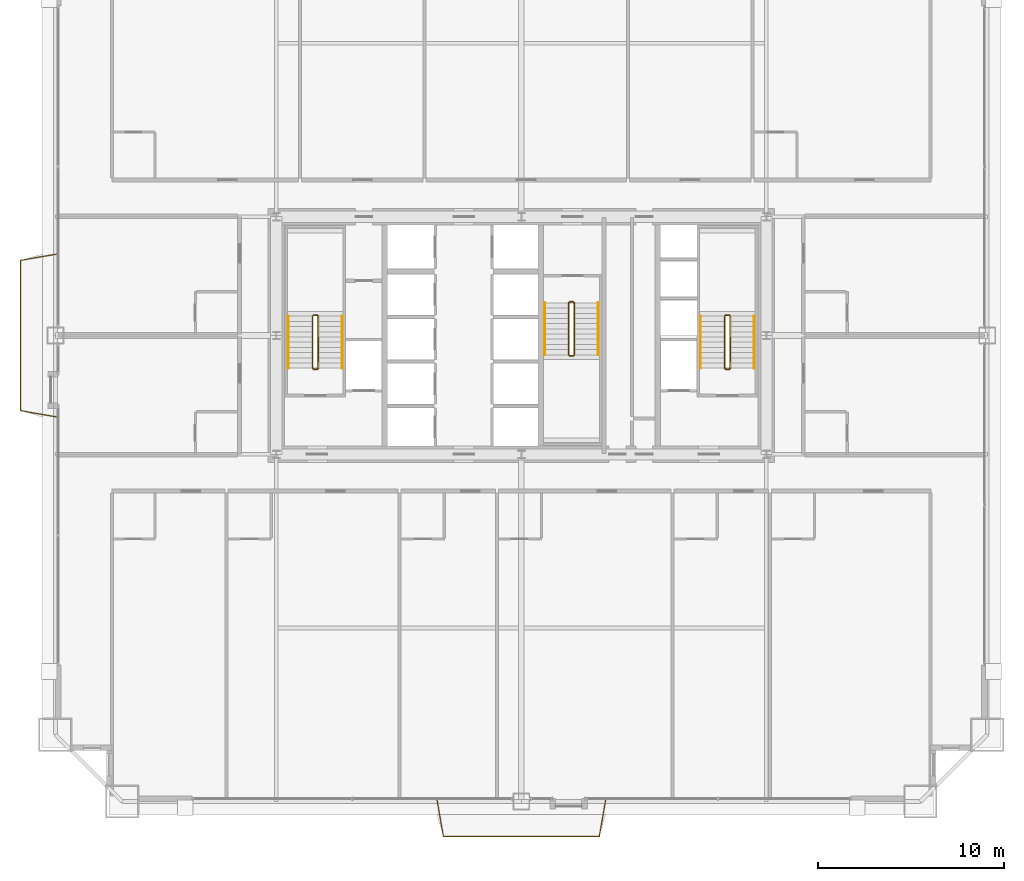
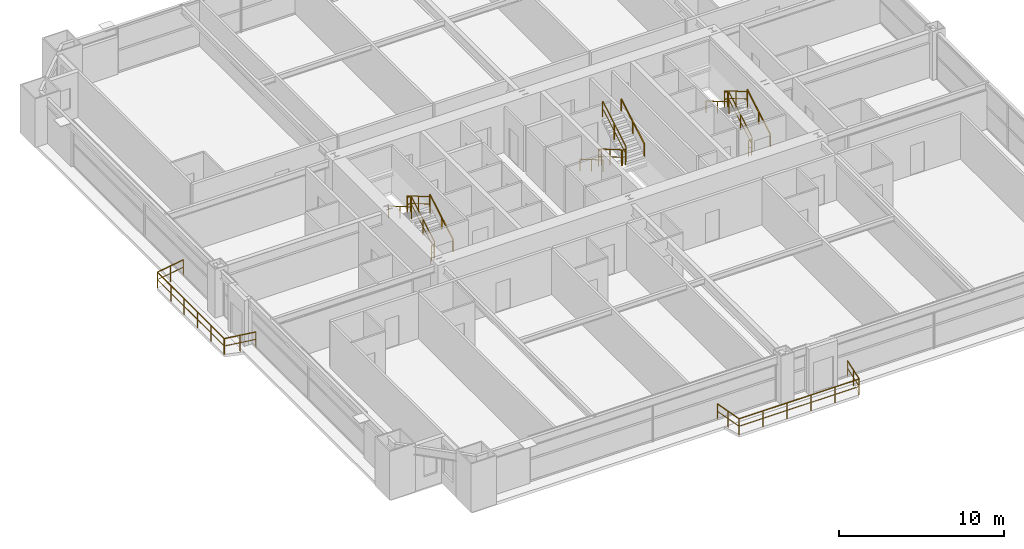
# One storey, part 46 of 46: 20 railings.
"""IFC4 building model written with IfcOpenShell, lengths in metres."""

from ifc_helpers import new_model, si_unit, direction, frame, origin, origin_2d, place, context, subcontext, project, spatial, rectangle, extrude, source, transform, mapped, material, layer, layer_set, type_object, element, save


model = new_model("IFC4")

# Units and contexts
model_context = context("Model", 3, precision=1e-05, world=origin(), true_north=direction((0.0, 1.0)))
body_context = subcontext(model_context, "Body", "Model", "MODEL_VIEW")
ifc_project = project(units=[si_unit("LENGTHUNIT", "METRE"), si_unit("AREAUNIT", "SQUARE_METRE"), si_unit("VOLUMEUNIT", "CUBIC_METRE"), si_unit("PLANEANGLEUNIT", "RADIAN"), si_unit("MASSUNIT", "GRAM", prefix="KILO"), si_unit("THERMODYNAMICTEMPERATUREUNIT", "KELVIN"), si_unit("POWERUNIT", "WATT")], contexts=[model_context])

# Site, building, storey
site_placement = place(None, origin())
site = spatial("IfcSite", under=ifc_project, at=site_placement, CompositionType="ELEMENT")
building_placement = place(site_placement, origin())
building = spatial("IfcBuilding", under=site, at=building_placement, Name="Yuzanri Waterfront Tower", CompositionType="ELEMENT")
storey_placement = place(building_placement, frame((0.0, 0.0, 56.800048828125)))
storey = spatial("IfcBuildingStorey", under=building, at=storey_placement, Name="L14", CompositionType="ELEMENT", Elevation=56.800048828125)

# Railings
ifc_material_1 = material(Name="Anodized Architectural Bronze", Category="metal")
ifc_layer_1 = layer(ifc_material_1, 0.080078125)
ifc_layer_set_1 = layer_set([ifc_layer_1], Name="Anodized Architectural Bronze")
railing_type_1 = type_object("IfcRailingType", Name="Laminated Glass and Bronze Balcony Guardrail 1200", PredefinedType="BALUSTRADE", material=ifc_layer_set_1)
shared_shape_1 = source(origin(), body_context, "Body", "SweptSolid", [
    extrude(rectangle(XDim=0.050048828125, YDim=0.050048828125, at=origin_2d()), frame((0.0, 0.0, 1.1748046875), z_axis=(0.169791929079, -0.985479934255, 0.0), x_axis=(0.985479934255, 0.169791929079, 0.0)), (0.0, 0.0, 1.0), 2.06201171875),
    extrude(rectangle(XDim=0.035888671875, YDim=0.030029296875, at=origin_2d()), frame((0.0, 0.0, 0.6240234375), z_axis=(0.169791929079, -0.985479934255, 0.0), x_axis=(0.985479934255, 0.169791929079, 0.0)), (0.0, 0.0, 1.0), 2.06201171875),
    extrude(rectangle(XDim=0.050048828125, YDim=0.050048828125, at=origin_2d()), frame((0.35009765625, -2.031982421875, 1.1748046875), z_axis=(1.0, 0.0, 0.0), x_axis=(0.0, 1.0, 0.0)), (0.0, 0.0, 1.0), 8.40380859375),
    extrude(rectangle(XDim=0.035888671875, YDim=0.030029296875, at=origin_2d()), frame((0.35009765625, -2.031982421875, 0.6240234375), z_axis=(1.0, 0.0, 0.0), x_axis=(0.0, 1.0, 0.0)), (0.0, 0.0, 1.0), 8.40380859375),
    extrude(rectangle(XDim=0.050048828125, YDim=0.050048828125, at=origin_2d()), frame((8.75390625, -2.031982421875, 1.1748046875), z_axis=(0.169791929079, 0.985479934255, 0.0), x_axis=(-0.985479934255, 0.169791929079, 0.0)), (0.0, 0.0, 1.0), 2.06201171875),
    extrude(rectangle(XDim=0.035888671875, YDim=0.030029296875, at=origin_2d()), frame((8.75390625, -2.031982421875, 0.6240234375), z_axis=(0.169791929079, 0.985479934255, 0.0), x_axis=(-0.985479934255, 0.169791929079, 0.0)), (0.0, 0.0, 1.0), 2.06201171875),
    extrude(rectangle(XDim=0.0458984375, YDim=0.0458984375, at=origin_2d()), origin(), (0.0, 0.0, 1.0), 1.14990234375),
    extrude(rectangle(XDim=0.0458984375, YDim=0.0458984375, at=origin_2d()), frame((0.175048828125, -1.01611328125, 0.0)), (0.0, 0.0, 1.0), 1.14990234375),
    extrude(rectangle(XDim=0.0458984375, YDim=0.0458984375, at=origin_2d()), frame((0.35009765625, -2.031982421875, 0.0)), (0.0, 0.0, 1.0), 1.14990234375),
    extrude(rectangle(XDim=0.0458984375, YDim=0.0458984375, at=origin_2d()), frame((2.03076171875, -2.031982421875, 0.0)), (0.0, 0.0, 1.0), 1.14990234375),
    extrude(rectangle(XDim=0.0458984375, YDim=0.0458984375, at=origin_2d()), frame((3.711669921875, -2.031982421875, 0.0)), (0.0, 0.0, 1.0), 1.14990234375),
    extrude(rectangle(XDim=0.0458984375, YDim=0.0458984375, at=origin_2d()), frame((5.392333984375, -2.031982421875, 0.0)), (0.0, 0.0, 1.0), 1.14990234375),
    extrude(rectangle(XDim=0.0458984375, YDim=0.0458984375, at=origin_2d()), frame((7.0732421875, -2.031982421875, 0.0)), (0.0, 0.0, 1.0), 1.14990234375),
    extrude(rectangle(XDim=0.0458984375, YDim=0.0458984375, at=origin_2d()), frame((8.75390625, -2.031982421875, 0.0)), (0.0, 0.0, 1.0), 1.14990234375),
    extrude(rectangle(XDim=0.0458984375, YDim=0.0458984375, at=origin_2d()), frame((8.928955078125, -1.01611328125, 0.0)), (0.0, 0.0, 1.0), 1.14990234375),
    extrude(rectangle(XDim=0.0458984375, YDim=0.0458984375, at=origin_2d()), frame((9.10400390625, 0.0, 0.0)), (0.0, 0.0, 1.0), 1.14990234375),
])
railing_1_placement = place(storey_placement, frame((32.447998046875, 0.85009765625, 0.0)))
element("IfcRailing", 1, at=railing_1_placement, inside=storey, type_object=railing_type_1, Name="L14 S Engawa Terrace Guardrail", PredefinedType="BALUSTRADE", context=body_context, shape_type="MappedRepresentation", body=[
    mapped(shared_shape_1, transform((0.0, 0.0, 0.0), scale=1.0)),
])
shared_shape_2 = source(origin(), body_context, "Body", "SweptSolid", [
    extrude(rectangle(XDim=0.050048828125, YDim=0.050048828125, at=origin_2d()), frame((0.0, 0.0, 1.1748046875), z_axis=(-0.985479934255, 0.169791929079, 0.0), x_axis=(-0.169791929079, -0.985479934255, 0.0)), (0.0, 0.0, 1.0), 2.06201171875),
    extrude(rectangle(XDim=0.035888671875, YDim=0.030029296875, at=origin_2d()), frame((0.0, 0.0, 0.6240234375), z_axis=(-0.985479934255, 0.169791929079, 0.0), x_axis=(-0.169791929079, -0.985479934255, 0.0)), (0.0, 0.0, 1.0), 2.06201171875),
    extrude(rectangle(XDim=0.050048828125, YDim=0.050048828125, at=origin_2d()), frame((-2.031982421875, 0.35009765625, 1.1748046875), z_axis=(0.0, 1.0, 0.0), x_axis=(-1.0, 0.0, 0.0)), (0.0, 0.0, 1.0), 8.10009765625),
    extrude(rectangle(XDim=0.035888671875, YDim=0.030029296875, at=origin_2d()), frame((-2.031982421875, 0.35009765625, 0.6240234375), z_axis=(0.0, 1.0, 0.0), x_axis=(-1.0, 0.0, 0.0)), (0.0, 0.0, 1.0), 8.10009765625),
    extrude(rectangle(XDim=0.050048828125, YDim=0.050048828125, at=origin_2d()), frame((-2.031982421875, 8.4501953125, 1.1748046875), z_axis=(0.985499740145, 0.169676934714, 0.0), x_axis=(-0.169676934714, 0.985499740145, 0.0)), (0.0, 0.0, 1.0), 2.061767578125),
    extrude(rectangle(XDim=0.035888671875, YDim=0.030029296875, at=origin_2d()), frame((-2.031982421875, 8.4501953125, 0.6240234375), z_axis=(0.985499740145, 0.169676934714, 0.0), x_axis=(-0.169676934714, 0.985499740145, 0.0)), (0.0, 0.0, 1.0), 2.061767578125),
    extrude(rectangle(XDim=0.0458984375, YDim=0.0458984375, at=origin_2d()), origin(), (0.0, 0.0, 1.0), 1.14990234375),
    extrude(rectangle(XDim=0.0458984375, YDim=0.0458984375, at=origin_2d()), frame((-1.01611328125, 0.175048828125, 0.0)), (0.0, 0.0, 1.0), 1.14990234375),
    extrude(rectangle(XDim=0.0458984375, YDim=0.0458984375, at=origin_2d()), frame((-2.031982421875, 0.35009765625, 0.0)), (0.0, 0.0, 1.0), 1.14990234375),
    extrude(rectangle(XDim=0.0458984375, YDim=0.0458984375, at=origin_2d()), frame((-2.031982421875, 1.97021484375, 0.0)), (0.0, 0.0, 1.0), 1.14990234375),
    extrude(rectangle(XDim=0.0458984375, YDim=0.0458984375, at=origin_2d()), frame((-2.031982421875, 3.590087890625, 0.0)), (0.0, 0.0, 1.0), 1.14990234375),
    extrude(rectangle(XDim=0.0458984375, YDim=0.0458984375, at=origin_2d()), frame((-2.031982421875, 5.210205078125, 0.0)), (0.0, 0.0, 1.0), 1.14990234375),
    extrude(rectangle(XDim=0.0458984375, YDim=0.0458984375, at=origin_2d()), frame((-2.031982421875, 6.830078125, 0.0)), (0.0, 0.0, 1.0), 1.14990234375),
    extrude(rectangle(XDim=0.0458984375, YDim=0.0458984375, at=origin_2d()), frame((-2.031982421875, 8.4501953125, 0.0)), (0.0, 0.0, 1.0), 1.14990234375),
    extrude(rectangle(XDim=0.0458984375, YDim=0.0458984375, at=origin_2d()), frame((-1.01611328125, 8.625, 0.0)), (0.0, 0.0, 1.0), 1.14990234375),
    extrude(rectangle(XDim=0.0458984375, YDim=0.0458984375, at=origin_2d()), frame((0.0, 8.800048828125, 0.0)), (0.0, 0.0, 1.0), 1.14990234375),
])
railing_2_placement = place(storey_placement, frame((12.050048828125, 21.39990234375, 0.0)))
element("IfcRailing", 2, at=railing_2_placement, inside=storey, type_object=railing_type_1, Name="L14 W Engawa Terrace Guardrail", PredefinedType="BALUSTRADE", context=body_context, shape_type="MappedRepresentation", body=[
    mapped(shared_shape_2, transform((0.0, 0.0, 0.0), scale=1.0)),
])
ifc_material_2 = material(Name="Painted Galvanized Fire Steel", Category="steel")
ifc_layer_2 = layer(ifc_material_2, 0.06005859375)
ifc_layer_set_2 = layer_set([ifc_layer_2], Name="Painted Galvanized Fire Steel")
railing_type_2 = type_object("IfcRailingType", Name="Painted Steel Stairwell Guardrail 1120", PredefinedType="GUARDRAIL", material=ifc_layer_set_2)
shared_shape_3 = source(origin(), body_context, "Body", "SweptSolid", [
    extrude(rectangle(XDim=0.050048828125, YDim=0.050048828125, at=origin_2d()), frame((0.0, 0.0, 1.1748046875), z_axis=(-1.0, 0.0, 0.0), x_axis=(0.0, -1.0, 0.0)), (0.0, 0.0, 1.0), 0.199951171875),
    extrude(rectangle(XDim=0.035888671875, YDim=0.030029296875, at=origin_2d()), frame((0.0, 0.0, 0.6240234375), z_axis=(-1.0, 0.0, 0.0), x_axis=(0.0, -1.0, 0.0)), (0.0, 0.0, 1.0), 0.199951171875),
    extrude(rectangle(XDim=0.0458984375, YDim=0.0458984375, at=origin_2d()), origin(), (0.0, 0.0, 1.0), 1.14990234375),
    extrude(rectangle(XDim=0.0458984375, YDim=0.0458984375, at=origin_2d()), frame((-0.199951171875, 0.0, 0.0)), (0.0, 0.0, 1.0), 1.14990234375),
])
for number, where, name in (
    (3, (26.0, 26.889892578125, 1.800048828125), "L14 ST-01 stair guard 2"),
    (4, (26.0, 23.989990234375, 0.0), "L14 ST-01 stair guard 4"),
    (5, (48.199951171875, 26.889892578125, 1.800048828125), "L14 ST-02 stair guard 2"),
    (6, (48.199951171875, 23.989990234375, 0.0), "L14 ST-02 stair guard 4"),
):
    element("IfcRailing", number, at=place(storey_placement, frame(where)), inside=storey, type_object=railing_type_2, Name=name, PredefinedType="GUARDRAIL", context=body_context, shape_type="MappedRepresentation", body=[
        mapped(shared_shape_3, transform((0.0, 0.0, 0.0), scale=1.0)),
    ])
shared_shape_4 = source(origin(), body_context, "Body", "SweptSolid", [
    extrude(rectangle(XDim=0.050048828125, YDim=0.050048828125, at=origin_2d()), frame((0.0, 0.0, 1.1748046875), z_axis=(0.0, 0.863393664356, 0.504530851732), x_axis=(-1.0, 0.0, 0.0)), (0.0, 0.0, 1.0), 3.2431640625),
    extrude(rectangle(XDim=0.035888671875, YDim=0.030029296875, at=origin_2d()), frame((0.0, 0.0, 0.6240234375), z_axis=(0.0, 0.863393664356, 0.504530851732), x_axis=(-1.0, 0.0, 0.0)), (0.0, 0.0, 1.0), 3.2431640625),
    extrude(rectangle(XDim=0.0458984375, YDim=0.0458984375, at=origin_2d()), origin(), (0.0, 0.0, 1.0), 1.14990234375),
    extrude(rectangle(XDim=0.0458984375, YDim=0.0458984375, at=origin_2d()), frame((0.0, 1.39990234375, 0.818115234375)), (0.0, 0.0, 1.0), 1.14990234375),
    extrude(rectangle(XDim=0.0458984375, YDim=0.0458984375, at=origin_2d()), frame((0.0, 2.800048828125, 1.63623046875)), (0.0, 0.0, 1.0), 1.14990234375),
])
railing_3_placement = place(storey_placement, frame((39.85009765625, 24.760009765625, 1.963623046875)))
element("IfcRailing", 7, at=railing_3_placement, inside=storey, type_object=railing_type_2, Name="L14 ST-03 stair guard 3", PredefinedType="GUARDRAIL", context=body_context, shape_type="MappedRepresentation", body=[
    mapped(shared_shape_4, transform((0.0, 0.0, 0.0), scale=1.0)),
])
shared_shape_5 = source(origin(), body_context, "Body", "SweptSolid", [
    extrude(rectangle(XDim=0.050048828125, YDim=0.050048828125, at=origin_2d()), frame((0.0, 0.0, 1.1748046875), z_axis=(0.0, -0.863393664356, 0.504530851732), x_axis=(1.0, 0.0, 0.0)), (0.0, 0.0, 1.0), 3.2431640625),
    extrude(rectangle(XDim=0.035888671875, YDim=0.030029296875, at=origin_2d()), frame((0.0, 0.0, 0.6240234375), z_axis=(0.0, -0.863393664356, 0.504530851732), x_axis=(1.0, 0.0, 0.0)), (0.0, 0.0, 1.0), 3.2431640625),
    extrude(rectangle(XDim=0.0458984375, YDim=0.0458984375, at=origin_2d()), origin(), (0.0, 0.0, 1.0), 1.14990234375),
    extrude(rectangle(XDim=0.0458984375, YDim=0.0458984375, at=origin_2d()), frame((0.0, -1.39990234375, 0.818115234375)), (0.0, 0.0, 1.0), 1.14990234375),
    extrude(rectangle(XDim=0.0458984375, YDim=0.0458984375, at=origin_2d()), frame((0.0, -2.800048828125, 1.63623046875)), (0.0, 0.0, 1.0), 1.14990234375),
])
for number, where, name in (
    (8, (25.75, 26.840087890625, 1.963623046875), "L14 ST-01 stair guard 3"),
    (9, (47.949951171875, 26.840087890625, 1.963623046875), "L14 ST-02 stair guard 3"),
):
    element("IfcRailing", number, at=place(storey_placement, frame(where)), inside=storey, type_object=railing_type_2, Name=name, PredefinedType="GUARDRAIL", context=body_context, shape_type="MappedRepresentation", body=[
        mapped(shared_shape_5, transform((0.0, 0.0, 0.0), scale=1.0)),
    ])
ifc_material_3 = material(Name="Anodized Architectural Bronze", Category="metal")
ifc_layer_3 = layer(ifc_material_3, 0.050048828125)
ifc_layer_set_3 = layer_set([ifc_layer_3], Name="Anodized Architectural Bronze")
railing_type_3 = type_object("IfcRailingType", Name="Brushed Bronze Stair Pitch Handrail 920", PredefinedType="HANDRAIL", material=ifc_layer_set_3)
shared_shape_6 = source(origin(), body_context, "Body", "SweptSolid", [
    extrude(rectangle(XDim=0.050048828125, YDim=0.050048828125, at=origin_2d()), frame((0.0, 0.0, 0.875), z_axis=(0.0, 0.863393664356, 0.504530851732), x_axis=(-1.0, 0.0, 0.0)), (0.0, 0.0, 1.0), 3.2431640625),
    extrude(rectangle(XDim=0.0458984375, YDim=0.0458984375, at=origin_2d()), origin(), (0.0, 0.0, 1.0), 0.849853515625),
    extrude(rectangle(XDim=0.0458984375, YDim=0.0458984375, at=origin_2d()), frame((0.0, 1.39990234375, 0.818115234375)), (0.0, 0.0, 1.0), 0.849853515625),
    extrude(rectangle(XDim=0.0458984375, YDim=0.0458984375, at=origin_2d()), frame((0.0, 2.800048828125, 1.63623046875)), (0.0, 0.0, 1.0), 0.849853515625),
])
railing_4_placement = place(storey_placement, frame((41.14990234375, 24.760009765625, 1.963623046875)))
element("IfcRailing", 10, at=railing_4_placement, inside=storey, type_object=railing_type_3, Name="L14 ST-03 stair handrail 2", PredefinedType="HANDRAIL", context=body_context, shape_type="MappedRepresentation", body=[
    mapped(shared_shape_6, transform((0.0, 0.0, 0.0), scale=1.0)),
])
shared_shape_7 = source(origin(), body_context, "Body", "SweptSolid", [
    extrude(rectangle(XDim=0.050048828125, YDim=0.050048828125, at=origin_2d()), frame((0.0, 0.0, 0.875), z_axis=(0.0, -0.863393664356, 0.504530851732), x_axis=(1.0, 0.0, 0.0)), (0.0, 0.0, 1.0), 3.2431640625),
    extrude(rectangle(XDim=0.0458984375, YDim=0.0458984375, at=origin_2d()), origin(), (0.0, 0.0, 1.0), 0.849853515625),
    extrude(rectangle(XDim=0.0458984375, YDim=0.0458984375, at=origin_2d()), frame((0.0, -1.39990234375, 0.818115234375)), (0.0, 0.0, 1.0), 0.849853515625),
    extrude(rectangle(XDim=0.0458984375, YDim=0.0458984375, at=origin_2d()), frame((0.0, -2.800048828125, 1.63623046875)), (0.0, 0.0, 1.0), 0.849853515625),
])
for number, where, name in (
    (11, (24.449951171875, 26.840087890625, 1.963623046875), "L14 ST-01 stair handrail 2"),
    (12, (46.64990234375, 26.840087890625, 1.963623046875), "L14 ST-02 stair handrail 2"),
):
    element("IfcRailing", number, at=place(storey_placement, frame(where)), inside=storey, type_object=railing_type_3, Name=name, PredefinedType="HANDRAIL", context=body_context, shape_type="MappedRepresentation", body=[
        mapped(shared_shape_7, transform((0.0, 0.0, 0.0), scale=1.0)),
    ])
shared_shape_8 = source(origin(), body_context, "Body", "SweptSolid", [
    extrude(rectangle(XDim=0.050048828125, YDim=0.050048828125, at=origin_2d()), frame((0.0, 0.0, 1.1748046875), z_axis=(0.0, 0.863360870873, 0.504586966384), x_axis=(-1.0, 0.0, 0.0)), (0.0, 0.0, 1.0), 3.2431640625),
    extrude(rectangle(XDim=0.035888671875, YDim=0.030029296875, at=origin_2d()), frame((0.0, 0.0, 0.6240234375), z_axis=(0.0, 0.863360870873, 0.504586966384), x_axis=(-1.0, 0.0, 0.0)), (0.0, 0.0, 1.0), 3.2431640625),
    extrude(rectangle(XDim=0.0458984375, YDim=0.0458984375, at=origin_2d()), origin(), (0.0, 0.0, 1.0), 1.14990234375),
    extrude(rectangle(XDim=0.0458984375, YDim=0.0458984375, at=origin_2d()), frame((0.0, 1.39990234375, 0.818359375)), (0.0, 0.0, 1.0), 1.14990234375),
    extrude(rectangle(XDim=0.0458984375, YDim=0.0458984375, at=origin_2d()), frame((0.0, 2.800048828125, 1.636474609375)), (0.0, 0.0, 1.0), 1.14990234375),
])
for number, where, name in (
    (13, (26.050048828125, 24.0400390625, 0.16357421875), "L14 ST-01 stair guard 1"),
    (14, (48.25, 24.0400390625, 0.16357421875), "L14 ST-02 stair guard 1"),
):
    element("IfcRailing", number, at=place(storey_placement, frame(where)), inside=storey, type_object=railing_type_2, Name=name, PredefinedType="GUARDRAIL", context=body_context, shape_type="MappedRepresentation", body=[
        mapped(shared_shape_8, transform((0.0, 0.0, 0.0), scale=1.0)),
    ])
shared_shape_9 = source(origin(), body_context, "Body", "SweptSolid", [
    extrude(rectangle(XDim=0.050048828125, YDim=0.050048828125, at=origin_2d()), frame((0.0, 0.0, 1.1748046875), z_axis=(0.0, -0.863360870873, 0.504586966384), x_axis=(1.0, 0.0, 0.0)), (0.0, 0.0, 1.0), 3.2431640625),
    extrude(rectangle(XDim=0.035888671875, YDim=0.030029296875, at=origin_2d()), frame((0.0, 0.0, 0.6240234375), z_axis=(0.0, -0.863360870873, 0.504586966384), x_axis=(1.0, 0.0, 0.0)), (0.0, 0.0, 1.0), 3.2431640625),
    extrude(rectangle(XDim=0.0458984375, YDim=0.0458984375, at=origin_2d()), origin(), (0.0, 0.0, 1.0), 1.14990234375),
    extrude(rectangle(XDim=0.0458984375, YDim=0.0458984375, at=origin_2d()), frame((0.0, -1.39990234375, 0.818359375)), (0.0, 0.0, 1.0), 1.14990234375),
    extrude(rectangle(XDim=0.0458984375, YDim=0.0458984375, at=origin_2d()), frame((0.0, -2.800048828125, 1.636474609375)), (0.0, 0.0, 1.0), 1.14990234375),
])
railing_5_placement = place(storey_placement, frame((39.550048828125, 27.56005859375, 0.16357421875)))
element("IfcRailing", 15, at=railing_5_placement, inside=storey, type_object=railing_type_2, Name="L14 ST-03 stair guard 1", PredefinedType="GUARDRAIL", context=body_context, shape_type="MappedRepresentation", body=[
    mapped(shared_shape_9, transform((0.0, 0.0, 0.0), scale=1.0)),
])
shared_shape_10 = source(origin(), body_context, "Body", "SweptSolid", [
    extrude(rectangle(XDim=0.050048828125, YDim=0.050048828125, at=origin_2d()), frame((0.0, 0.0, 0.875), z_axis=(0.0, 0.863360870873, 0.504586966384), x_axis=(-1.0, 0.0, 0.0)), (0.0, 0.0, 1.0), 3.2431640625),
    extrude(rectangle(XDim=0.0458984375, YDim=0.0458984375, at=origin_2d()), origin(), (0.0, 0.0, 1.0), 0.849853515625),
    extrude(rectangle(XDim=0.0458984375, YDim=0.0458984375, at=origin_2d()), frame((0.0, 1.39990234375, 0.818359375)), (0.0, 0.0, 1.0), 0.849853515625),
    extrude(rectangle(XDim=0.0458984375, YDim=0.0458984375, at=origin_2d()), frame((0.0, 2.800048828125, 1.636474609375)), (0.0, 0.0, 1.0), 0.849853515625),
])
for number, where, name in (
    (16, (27.35009765625, 24.0400390625, 0.16357421875), "L14 ST-01 stair handrail 1"),
    (17, (49.550048828125, 24.0400390625, 0.16357421875), "L14 ST-02 stair handrail 1"),
):
    element("IfcRailing", number, at=place(storey_placement, frame(where)), inside=storey, type_object=railing_type_3, Name=name, PredefinedType="HANDRAIL", context=body_context, shape_type="MappedRepresentation", body=[
        mapped(shared_shape_10, transform((0.0, 0.0, 0.0), scale=1.0)),
    ])
shared_shape_11 = source(origin(), body_context, "Body", "SweptSolid", [
    extrude(rectangle(XDim=0.050048828125, YDim=0.050048828125, at=origin_2d()), frame((0.0, 0.0, 0.875), z_axis=(0.0, -0.863360870873, 0.504586966384), x_axis=(1.0, 0.0, 0.0)), (0.0, 0.0, 1.0), 3.2431640625),
    extrude(rectangle(XDim=0.0458984375, YDim=0.0458984375, at=origin_2d()), origin(), (0.0, 0.0, 1.0), 0.849853515625),
    extrude(rectangle(XDim=0.0458984375, YDim=0.0458984375, at=origin_2d()), frame((0.0, -1.39990234375, 0.818359375)), (0.0, 0.0, 1.0), 0.849853515625),
    extrude(rectangle(XDim=0.0458984375, YDim=0.0458984375, at=origin_2d()), frame((0.0, -2.800048828125, 1.636474609375)), (0.0, 0.0, 1.0), 0.849853515625),
])
railing_6_placement = place(storey_placement, frame((38.25, 27.56005859375, 0.16357421875)))
element("IfcRailing", 18, at=railing_6_placement, inside=storey, type_object=railing_type_3, Name="L14 ST-03 stair handrail 1", PredefinedType="HANDRAIL", context=body_context, shape_type="MappedRepresentation", body=[
    mapped(shared_shape_11, transform((0.0, 0.0, 0.0), scale=1.0)),
])
shared_shape_12 = source(origin(), body_context, "Body", "SweptSolid", [
    extrude(rectangle(XDim=0.050048828125, YDim=0.050048828125, at=origin_2d()), frame((0.0, 0.0, 1.1748046875), z_axis=(1.0, 0.0, 0.0), x_axis=(0.0, 1.0, 0.0)), (0.0, 0.0, 1.0), 0.199951171875),
    extrude(rectangle(XDim=0.035888671875, YDim=0.030029296875, at=origin_2d()), frame((0.0, 0.0, 0.6240234375), z_axis=(1.0, 0.0, 0.0), x_axis=(0.0, 1.0, 0.0)), (0.0, 0.0, 1.0), 0.199951171875),
    extrude(rectangle(XDim=0.0458984375, YDim=0.0458984375, at=origin_2d()), origin(), (0.0, 0.0, 1.0), 1.14990234375),
    extrude(rectangle(XDim=0.0458984375, YDim=0.0458984375, at=origin_2d()), frame((0.199951171875, 0.0, 0.0)), (0.0, 0.0, 1.0), 1.14990234375),
])
for number, where, name in (
    (19, (39.60009765625, 24.7099609375, 1.800048828125), "L14 ST-03 stair guard 2"),
    (20, (39.60009765625, 27.610107421875, 0.0), "L14 ST-03 stair guard 4"),
):
    element("IfcRailing", number, at=place(storey_placement, frame(where)), inside=storey, type_object=railing_type_2, Name=name, PredefinedType="GUARDRAIL", context=body_context, shape_type="MappedRepresentation", body=[
        mapped(shared_shape_12, transform((0.0, 0.0, 0.0), scale=1.0)),
    ])

save(model, "model.ifc")
